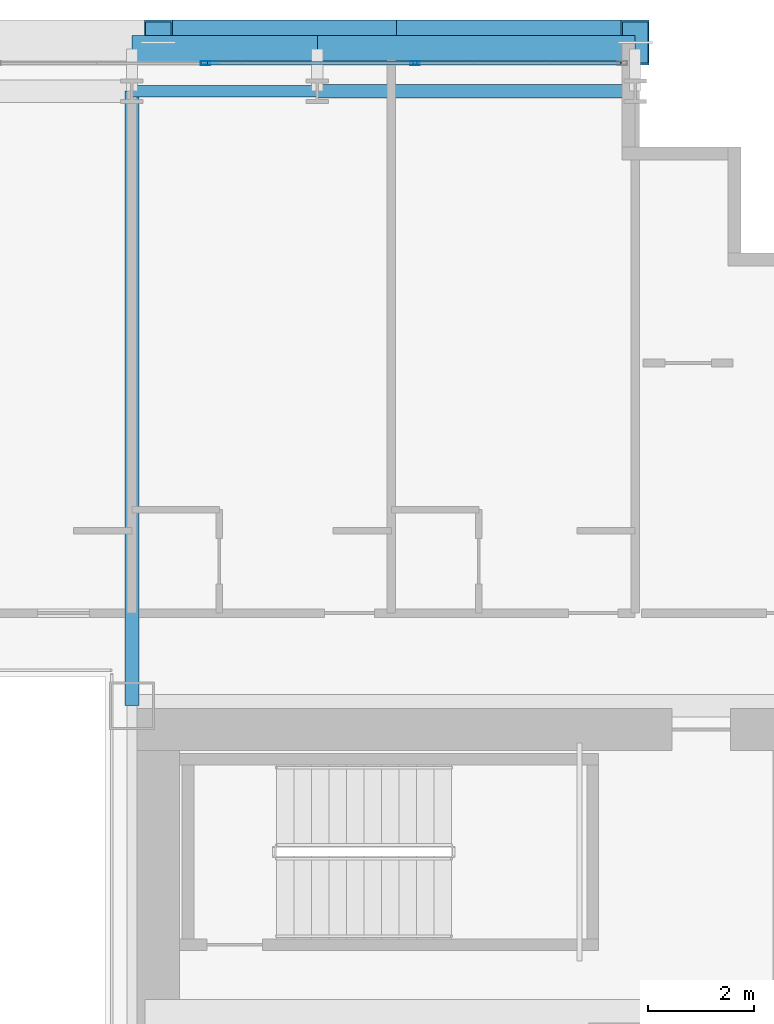
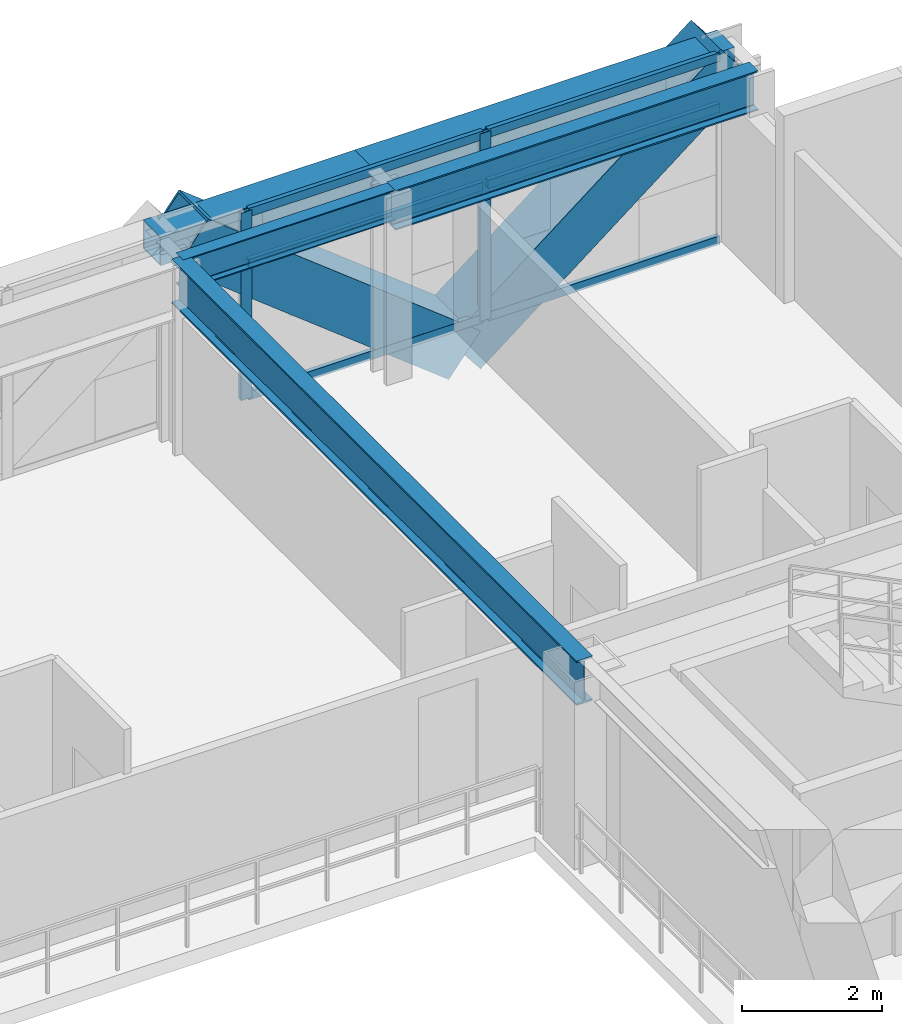
# One storey, part 21 of 35: 10 members, 5 beams, 1 element without a shape of its own.
"""IFC4 building model written with IfcOpenShell, lengths in metres."""

from ifc_helpers import new_model, si_unit, direction, frame, origin, origin_2d, place, context, subcontext, project, spatial, hollow_rectangle, i_section, extrude, source, transform, mapped, material, layer, layer_set, material_profile, profile_set, type_object, element, aggregate, save


model = new_model("IFC4")

# Units and contexts
model_context = context("Model", 3, precision=1e-05, world=origin(), true_north=direction((0.0, 1.0)))
body_context = subcontext(model_context, "Body", "Model", "MODEL_VIEW")
ifc_project = project(units=[si_unit("LENGTHUNIT", "METRE"), si_unit("AREAUNIT", "SQUARE_METRE"), si_unit("VOLUMEUNIT", "CUBIC_METRE"), si_unit("PLANEANGLEUNIT", "RADIAN"), si_unit("MASSUNIT", "GRAM", prefix="KILO")], contexts=[model_context])

# Site, building, storey
site_placement = place(None, origin())
site = spatial("IfcSite", under=ifc_project, at=site_placement, CompositionType="ELEMENT")
building_placement = place(site_placement, origin())
building = spatial("IfcBuilding", under=site, at=building_placement, Name="Ocotamira Hotel", CompositionType="ELEMENT")
storey_placement = place(building_placement, frame((0.0, 0.0, 81.60009765625)))
storey = spatial("IfcBuildingStorey", under=building, at=storey_placement, Name="L20", CompositionType="ELEMENT", Elevation=81.60009765625)

# Beams
ifc_material_1 = material(Name="Steel ASTM A992 Grade 50", Category="steel")
ifc_material_profile_1 = material_profile(ifc_material_1, i_section(OverallWidth=0.256103515625, OverallDepth=0.693115234375, WebThickness=0.014404296875, FlangeThickness=0.023681640625, FilletRadius=0.01611328125, at=origin_2d()), Name="W27X114")
ifc_profile_set_1 = profile_set([ifc_material_profile_1], Name="Steel ASTM A992 Grade 50")
beam_type_1 = type_object("IfcBeamType", Name="BM-PRIM-W27X114", PredefinedType="BEAM", material=ifc_profile_set_1)
shared_shape_1 = source(origin(), body_context, "Body", "SweptSolid", [
    extrude(i_section(OverallWidth=0.256103515625, OverallDepth=0.693115234375, WebThickness=0.014404296875, FlangeThickness=0.023681640625, FilletRadius=0.01611328125, at=origin_2d()), origin(), (0.0, 0.0, 1.0), 6.0),
])
beam_1_placement = place(storey_placement, frame((44.0, 49.050048828125, 2.933349609375), z_axis=(1.0, 0.0, 0.0), x_axis=(0.0, 1.0, 0.0)))
element("IfcBeam", 1, at=beam_1_placement, inside=storey, type_object=beam_type_1, Name="L20 Girder Y49.05 X44-50", PredefinedType="BEAM", context=body_context, shape_type="MappedRepresentation", body=[
    mapped(shared_shape_1, transform((0.0, 0.0, 0.0), scale=1.0)),
])
ifc_material_profile_2 = material_profile(ifc_material_1, i_section(OverallWidth=0.2099609375, OverallDepth=0.537109375, WebThickness=0.010986328125, FlangeThickness=0.017333984375, FilletRadius=0.012939453125, at=origin_2d()), Name="W21X68")
ifc_profile_set_2 = profile_set([ifc_material_profile_2], Name="Steel ASTM A992 Grade 50")
beam_type_2 = type_object("IfcBeamType", Name="BM-SEC-W21X68", PredefinedType="JOIST", material=ifc_profile_set_2)
shared_shape_2 = source(origin(), body_context, "Body", "SweptSolid", [
    extrude(i_section(OverallWidth=0.2099609375, OverallDepth=0.537109375, WebThickness=0.010986328125, FlangeThickness=0.017333984375, FilletRadius=0.012939453125, at=origin_2d()), origin(), (0.0, 0.0, 1.0), 3.5),
])
beam_2_placement = place(storey_placement, frame((40.5, 49.050048828125, 3.011474609375), z_axis=(1.0, 0.0, 0.0), x_axis=(0.0, 1.0, 0.0)))
element("IfcBeam", 2, at=beam_2_placement, inside=storey, type_object=beam_type_2, Name="L20 Girder Y49.05 X40.5-44", PredefinedType="JOIST", context=body_context, shape_type="MappedRepresentation", body=[
    mapped(shared_shape_2, transform((0.0, 0.0, 0.0), scale=1.0)),
])
ifc_material_profile_3 = material_profile(ifc_material_1, i_section(OverallWidth=0.26611328125, OverallDepth=0.779052734375, WebThickness=0.0166015625, FlangeThickness=0.030029296875, FilletRadius=0.01806640625, at=origin_2d()), Name="W30X148")
ifc_profile_set_3 = profile_set([ifc_material_profile_3], Name="Steel ASTM A992 Grade 50")
beam_type_3 = type_object("IfcBeamType", Name="BM-GIRD-W30X148", PredefinedType="BEAM", material=ifc_profile_set_3)
shared_shape_3 = source(origin(), body_context, "Body", "SweptSolid", [
    extrude(i_section(OverallWidth=0.26611328125, OverallDepth=0.779052734375, WebThickness=0.0166015625, FlangeThickness=0.030029296875, FilletRadius=0.01806640625, at=origin_2d()), origin(), (0.0, 0.0, 1.0), 11.60009765625),
])
beam_3_placement = place(storey_placement, frame((40.5, 37.449951171875, 2.890380859375), z_axis=(0.0, 1.0, 0.0), x_axis=(-1.0, 0.0, 0.0)))
element("IfcBeam", 3, at=beam_3_placement, inside=storey, type_object=beam_type_3, Name="L20 Beam X40.5 Y37.45-49.05", PredefinedType="BEAM", context=body_context, shape_type="MappedRepresentation", body=[
    mapped(shared_shape_3, transform((0.0, 0.0, 0.0), scale=1.0)),
])
ifc_material_2 = material(Name="Steel ASTM A500 Grade C", Category="steel")
ifc_material_profile_4 = material_profile(ifc_material_2, hollow_rectangle(XDim=0.5, YDim=0.5, WallThickness=0.02001953125, at=origin_2d()), Name="HSS500X500X20")
ifc_profile_set_4 = profile_set([ifc_material_profile_4], Name="Steel ASTM A500 Grade C")
beam_type_4 = type_object("IfcBeamType", Name="BM-SPAN-HSS500", PredefinedType="USERDEFINED", material=ifc_profile_set_4)
shared_shape_4 = source(origin(), body_context, "Body", "SweptSolid", [
    extrude(hollow_rectangle(XDim=0.5, YDim=0.5, WallThickness=0.02001953125, at=origin_2d()), origin(), (0.0, 0.0, 1.0), 6.0),
])
beam_4_placement = place(storey_placement, frame((44.0, 49.85009765625, 3.02978515625), z_axis=(1.0, 0.0, 0.0), x_axis=(0.0, 1.0, 0.0)))
element("IfcBeam", 4, at=beam_4_placement, inside=storey, type_object=beam_type_4, Name="L20 Edge Spandrel N X44-50", ObjectType="SPANDREL", PredefinedType="USERDEFINED", context=body_context, shape_type="MappedRepresentation", body=[
    mapped(shared_shape_4, transform((0.0, 0.0, 0.0), scale=1.0)),
])
shared_shape_5 = source(origin(), body_context, "Body", "SweptSolid", [
    extrude(hollow_rectangle(XDim=0.5, YDim=0.5, WallThickness=0.02001953125, at=origin_2d()), origin(), (0.0, 0.0, 1.0), 3.5),
])
beam_5_placement = place(storey_placement, frame((40.5, 49.85009765625, 3.02978515625), z_axis=(1.0, 0.0, 0.0), x_axis=(0.0, 1.0, 0.0)))
element("IfcBeam", 5, at=beam_5_placement, inside=storey, type_object=beam_type_4, Name="L20 Edge Spandrel N X40.5-44", ObjectType="SPANDREL", PredefinedType="USERDEFINED", context=body_context, shape_type="MappedRepresentation", body=[
    mapped(shared_shape_5, transform((0.0, 0.0, 0.0), scale=1.0)),
])

# Members
ifc_material_3 = material(Name="Pale-metal coated steel ASTM A913 Grade 65", Category="steel")
ifc_material_profile_5 = material_profile(ifc_material_3, hollow_rectangle(XDim=0.85009765625, YDim=0.85009765625, WallThickness=0.035888671875, at=origin_2d()), Name="BOX850X850X36")
ifc_profile_set_5 = profile_set([ifc_material_profile_5], Name="Pale-metal coated steel ASTM A913 Grade 65")
member_type_1 = type_object("IfcMemberType", Name="MEM-EXO-BOX850", PredefinedType="BRACE", material=ifc_profile_set_5)
shared_shape_6 = source(origin(), body_context, "Body", "SweptSolid", [
    extrude(hollow_rectangle(XDim=0.85009765625, YDim=0.85009765625, WallThickness=0.035888671875, at=origin_2d()), origin(), (0.0, 0.0, 1.0), 5.71923828125),
])
for number, where, z_axis, x_axis, name in (
    (6, (45.5, 49.969970703125, -0.5), (-0.786821712922, 0.0, 0.617180356197), (0.0, -1.0, 0.0), "L20 Exoskeleton Diagrid N3.1"),
    (7, (45.5, 49.969970703125, -0.5), (0.786821712922, 0.0, 0.617180356197), (0.0, 1.0, 0.0), "L20 Exoskeleton Diagrid N3.2"),
):
    element("IfcMember", number, at=place(storey_placement, frame(where, z_axis=z_axis, x_axis=x_axis)), inside=storey, type_object=member_type_1, Name=name, PredefinedType="BRACE", context=body_context, shape_type="MappedRepresentation", body=[
        mapped(shared_shape_6, transform((0.0, 0.0, 0.0), scale=1.0)),
    ])

# Curtain wall, members
ifc_material_4 = material(Name="Anodised pale-metal aluminium and solar glass", Category="aluminium")
ifc_layer = layer(ifc_material_4, 0.179931640625)
ifc_layer_set = layer_set([ifc_layer], Name="Anodised pale-metal aluminium and solar glass")
curtain_wall_type = type_object("IfcCurtainWallType", Name="CW-SYS2-Z1", PredefinedType="NOTDEFINED", material=ifc_layer_set)
curtain_wall_placement = place(storey_placement, origin())
curtain_wall = element("IfcCurtainWall", 8, at=curtain_wall_placement, inside=storey, type_object=curtain_wall_type, Name="L20 Curtain Wall CW-2 CW-L20-N", PredefinedType="NOTDEFINED")
ifc_material_5 = material(Name="Anodised pale-metal aluminium 6063-T6", Category="aluminium")
ifc_material_profile_6 = material_profile(ifc_material_5, hollow_rectangle(XDim=0.074951171875, YDim=0.14990234375, WallThickness=0.006103515625, at=origin_2d()), Name="HSS150X75X6")
ifc_profile_set_6 = profile_set([ifc_material_profile_6], Name="Anodised pale-metal aluminium 6063-T6")
member_type_2 = type_object("IfcMemberType", Name="CWT-150X75", PredefinedType="USERDEFINED", material=ifc_profile_set_6)
shared_shape_7 = source(origin(), body_context, "Body", "SweptSolid", [
    extrude(hollow_rectangle(XDim=0.074951171875, YDim=0.14990234375, WallThickness=0.006103515625, at=origin_2d()), origin(), (0.0, 0.0, 1.0), 3.83544921875),
])
member_1_placement = place(storey_placement, frame((45.884521484375, 49.580078125, 0.037353515625), z_axis=(1.0, 0.0, 0.0), x_axis=(0.0, 1.0, 0.0)))
member_1 = element("IfcMember", 9, at=member_1_placement, type_object=member_type_2, Name="CW-2 transom 9.1", ObjectType="TRANSOM", PredefinedType="USERDEFINED", context=body_context, shape_type="MappedRepresentation", body=[
    mapped(shared_shape_7, transform((0.0, 0.0, 0.0), scale=1.0)),
])
member_2_placement = place(storey_placement, frame((45.884521484375, 49.580078125, 2.349853515625), z_axis=(1.0, 0.0, 0.0), x_axis=(0.0, 1.0, 0.0)))
member_2 = element("IfcMember", 10, at=member_2_placement, type_object=member_type_2, Name="CW-2 transom 9.2", ObjectType="TRANSOM", PredefinedType="USERDEFINED", context=body_context, shape_type="MappedRepresentation", body=[
    mapped(shared_shape_7, transform((0.0, 0.0, 0.0), scale=1.0)),
])
member_3_placement = place(storey_placement, frame((45.884521484375, 49.580078125, 3.242431640625), z_axis=(1.0, 0.0, 0.0), x_axis=(0.0, 1.0, 0.0)))
member_3 = element("IfcMember", 11, at=member_3_placement, type_object=member_type_2, Name="CW-2 transom 9.3", ObjectType="TRANSOM", PredefinedType="USERDEFINED", context=body_context, shape_type="MappedRepresentation", body=[
    mapped(shared_shape_7, transform((0.0, 0.0, 0.0), scale=1.0)),
])
shared_shape_8 = source(origin(), body_context, "Body", "SweptSolid", [
    extrude(hollow_rectangle(XDim=0.074951171875, YDim=0.14990234375, WallThickness=0.006103515625, at=origin_2d()), origin(), (0.0, 0.0, 1.0), 3.87548828125),
])
member_4_placement = place(storey_placement, frame((41.928955078125, 49.580078125, 0.037353515625), z_axis=(1.0, 0.0, 0.0), x_axis=(0.0, 1.0, 0.0)))
member_4 = element("IfcMember", 12, at=member_4_placement, type_object=member_type_2, Name="CW-2 transom 8.1", ObjectType="TRANSOM", PredefinedType="USERDEFINED", context=body_context, shape_type="MappedRepresentation", body=[
    mapped(shared_shape_8, transform((0.0, 0.0, 0.0), scale=1.0)),
])
member_5_placement = place(storey_placement, frame((41.928955078125, 49.580078125, 2.349853515625), z_axis=(1.0, 0.0, 0.0), x_axis=(0.0, 1.0, 0.0)))
member_5 = element("IfcMember", 13, at=member_5_placement, type_object=member_type_2, Name="CW-2 transom 8.2", ObjectType="TRANSOM", PredefinedType="USERDEFINED", context=body_context, shape_type="MappedRepresentation", body=[
    mapped(shared_shape_8, transform((0.0, 0.0, 0.0), scale=1.0)),
])
member_6_placement = place(storey_placement, frame((41.928955078125, 49.580078125, 3.242431640625), z_axis=(1.0, 0.0, 0.0), x_axis=(0.0, 1.0, 0.0)))
member_6 = element("IfcMember", 14, at=member_6_placement, type_object=member_type_2, Name="CW-2 transom 8.3", ObjectType="TRANSOM", PredefinedType="USERDEFINED", context=body_context, shape_type="MappedRepresentation", body=[
    mapped(shared_shape_8, transform((0.0, 0.0, 0.0), scale=1.0)),
])
ifc_material_profile_7 = material_profile(ifc_material_5, hollow_rectangle(XDim=0.080078125, YDim=0.179931640625, WallThickness=0.006103515625, at=origin_2d()), Name="HSS180X80X6")
ifc_profile_set_7 = profile_set([ifc_material_profile_7], Name="Anodised pale-metal aluminium 6063-T6")
member_type_3 = type_object("IfcMemberType", Name="CWM-180X75", PredefinedType="MULLION", material=ifc_profile_set_7)
shared_shape_9 = source(origin(), body_context, "Body", "SweptSolid", [
    extrude(hollow_rectangle(XDim=0.080078125, YDim=0.179931640625, WallThickness=0.006103515625, at=origin_2d()), origin(), (0.0, 0.0, 1.0), 3.27978515625),
])
member_7_placement = place(storey_placement, frame((41.888916015625, 49.580078125, 0.0), z_axis=(0.0, 0.0, 1.0), x_axis=(0.0, 1.0, 0.0)))
member_7 = element("IfcMember", 15, at=member_7_placement, type_object=member_type_3, Name="CW-2 mullion 8", PredefinedType="MULLION", context=body_context, shape_type="MappedRepresentation", body=[
    mapped(shared_shape_9, transform((0.0, 0.0, 0.0), scale=1.0)),
])
member_8_placement = place(storey_placement, frame((45.844482421875, 49.580078125, 0.0), z_axis=(0.0, 0.0, 1.0), x_axis=(0.0, 1.0, 0.0)))
member_8 = element("IfcMember", 16, at=member_8_placement, type_object=member_type_3, Name="CW-2 mullion 9", PredefinedType="MULLION", context=body_context, shape_type="MappedRepresentation", body=[
    mapped(shared_shape_9, transform((0.0, 0.0, 0.0), scale=1.0)),
])
aggregate(curtain_wall, [member_7, member_8, member_4, member_5, member_6, member_1, member_2, member_3])

save(model, "model.ifc")
